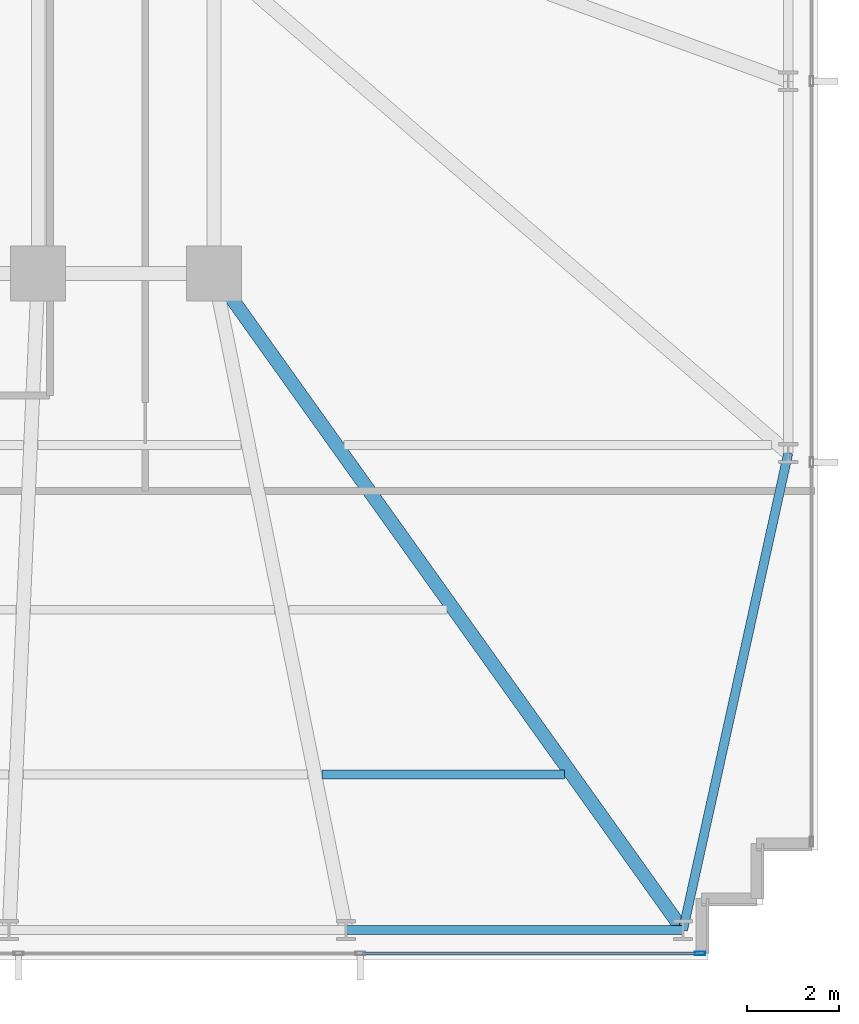
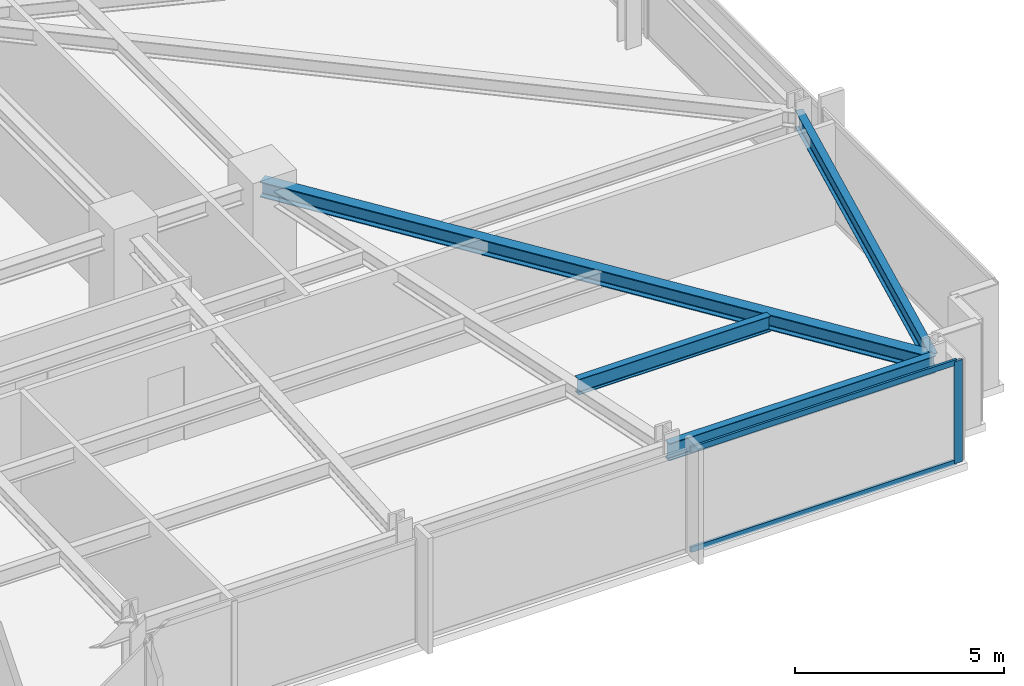
# One storey, part 15 of 32: 4 beams, 3 members, 1 element without a shape of its own.
"""IFC4 building model written with IfcOpenShell, lengths in metres."""

from ifc_helpers import new_model, si_unit, direction, frame, origin, origin_2d, place, context, subcontext, project, spatial, hollow_rectangle, i_section, extrude, material, material_profile, profile_set, type_object, element, aggregate, save


model = new_model("IFC4")

# Units and contexts
model_context = context("Model", 3, precision=1e-05, world=origin(), true_north=direction((0.0, 1.0)))
body_context = subcontext(model_context, "Body", "Model", "MODEL_VIEW")
ifc_project = project(units=[si_unit("LENGTHUNIT", "METRE"), si_unit("AREAUNIT", "SQUARE_METRE"), si_unit("VOLUMEUNIT", "CUBIC_METRE"), si_unit("PLANEANGLEUNIT", "RADIAN"), si_unit("MASSUNIT", "GRAM", prefix="KILO")], contexts=[model_context])

# Site, building, storey
site_placement = place(None, origin())
site = spatial("IfcSite", under=ifc_project, at=site_placement, CompositionType="ELEMENT")
building_placement = place(site_placement, origin())
building = spatial("IfcBuilding", under=site, at=building_placement, Name="Yelkora Congress Tower", CompositionType="ELEMENT")
storey_placement = place(building_placement, frame((0.0, 0.0, 74.60009765625)))
storey = spatial("IfcBuildingStorey", under=building, at=storey_placement, Name="L19", CompositionType="ELEMENT", Elevation=74.60009765625)

# Beams
ifc_material_1 = material(Name="Steel S355J2", Category="steel")
ifc_material_profile_1 = material_profile(ifc_material_1, i_section(OverallWidth=0.300048828125, OverallDepth=0.449951171875, WebThickness=0.013916015625, FlangeThickness=0.02587890625, FilletRadius=0.027099609375, at=origin_2d()), Name="HEB 450")
ifc_profile_set_1 = profile_set([ifc_material_profile_1], Name="Steel S355J2")
beam_type_1 = type_object("IfcBeamType", Name="BM-GIRD-HEB450", PredefinedType="BEAM", material=ifc_profile_set_1)
beam_1_placement = place(storey_placement, frame((67.85009765625, 10.85009765625, 2.7548828125), z_axis=(-0.581242122521, 0.813730664906, 0.0), x_axis=(-0.813730664906, -0.581242122521, 0.0)))
element("IfcBeam", 1, at=beam_1_placement, inside=storey, type_object=beam_type_1, Name="L19 Primary Frame Girder S09", PredefinedType="BEAM", context=body_context, shape_type="SweptSolid", body=[
    extrude(i_section(OverallWidth=0.300048828125, OverallDepth=0.449951171875, WebThickness=0.013916015625, FlangeThickness=0.02587890625, FilletRadius=0.027099609375, at=origin_2d()), origin(), (0.0, 0.0, 1.0), 17.634765625),
])
ifc_material_profile_2 = material_profile(ifc_material_1, i_section(OverallWidth=0.18994140625, OverallDepth=0.449951171875, WebThickness=0.009521484375, FlangeThickness=0.0146484375, FilletRadius=0.02099609375, at=origin_2d()), Name="IPE 450")
ifc_profile_set_2 = profile_set([ifc_material_profile_2], Name="Steel S355J2")
beam_type_2 = type_object("IfcBeamType", Name="BM-JOIST-IPE450", PredefinedType="JOIST", material=ifc_profile_set_2)
beam_2_placement = place(storey_placement, frame((59.96337890625, 14.25, 2.7548828125), z_axis=(1.0, 0.0, 0.0), x_axis=(0.0, 1.0, 0.0)))
element("IfcBeam", 2, at=beam_2_placement, inside=storey, type_object=beam_type_2, Name="L19 Composite Floor Joist 8", PredefinedType="JOIST", context=body_context, shape_type="SweptSolid", body=[
    extrude(i_section(OverallWidth=0.18994140625, OverallDepth=0.449951171875, WebThickness=0.009521484375, FlangeThickness=0.0146484375, FilletRadius=0.02099609375, at=origin_2d()), origin(), (0.0, 0.0, 1.0), 5.298095703125),
])
ifc_material_profile_3 = material_profile(ifc_material_1, i_section(OverallWidth=0.199951171875, OverallDepth=0.5, WebThickness=0.01025390625, FlangeThickness=0.01611328125, FilletRadius=0.02099609375, at=origin_2d()), Name="IPE 500")
ifc_profile_set_3 = profile_set([ifc_material_profile_3], Name="Steel S355J2")
beam_type_3 = type_object("IfcBeamType", Name="BM-SPAN-IPE500", PredefinedType="SPANDREL", material=ifc_profile_set_3)
beam_3_placement = place(storey_placement, frame((60.487548828125, 10.85009765625, 2.72998046875), z_axis=(1.0, 0.0, 0.0), x_axis=(0.0, 1.0, 0.0)))
element("IfcBeam", 3, at=beam_3_placement, inside=storey, type_object=beam_type_3, Name="L19 Perimeter Beam 9", PredefinedType="SPANDREL", context=body_context, shape_type="SweptSolid", body=[
    extrude(i_section(OverallWidth=0.199951171875, OverallDepth=0.5, WebThickness=0.01025390625, FlangeThickness=0.01611328125, FilletRadius=0.02099609375, at=origin_2d()), origin(), (0.0, 0.0, 1.0), 7.362548828125),
])
beam_4_placement = place(storey_placement, frame((67.85009765625, 10.85009765625, 2.72998046875), z_axis=(0.215428898349, 0.97651952861, 0.0), x_axis=(-0.97651952861, 0.215428898349, 0.0)))
element("IfcBeam", 4, at=beam_4_placement, inside=storey, type_object=beam_type_3, Name="L19 Perimeter Beam 10", PredefinedType="SPANDREL", context=body_context, shape_type="SweptSolid", body=[
    extrude(i_section(OverallWidth=0.199951171875, OverallDepth=0.5, WebThickness=0.01025390625, FlangeThickness=0.01611328125, FilletRadius=0.02099609375, at=origin_2d()), origin(), (0.0, 0.0, 1.0), 10.675537109375),
])

# Curtain wall, members
ifc_material_2 = material(Name="Anodised aluminium and insulated glass", Category="aluminium")
curtain_wall_type = type_object("IfcCurtainWallType", Name="CW-SYS-B1", PredefinedType="NOTDEFINED", material=ifc_material_2)
curtain_wall_placement = place(storey_placement, origin())
curtain_wall = element("IfcCurtainWall", 5, at=curtain_wall_placement, inside=storey, type_object=curtain_wall_type, Name="L19 Unitised Curtain Wall 20", PredefinedType="NOTDEFINED")
ifc_material_3 = material(Name="Anodised aluminium 6063-T6", Category="aluminium")
ifc_material_profile_4 = material_profile(ifc_material_3, hollow_rectangle(XDim=0.074951171875, YDim=0.219970703125, WallThickness=0.0048828125, at=origin_2d()), Name="ALU 75x220x5")
ifc_profile_set_4 = profile_set([ifc_material_profile_4], Name="Anodised aluminium 6063-T6")
member_type_1 = type_object("IfcMemberType", Name="MEM-ML-B1", PredefinedType="MULLION", material=ifc_profile_set_4)
member_1_placement = place(storey_placement, frame((68.222412109375, 10.340087890625, 0.0), z_axis=(0.0, 0.0, 1.0), x_axis=(0.0, -1.0, 0.0)))
member_1 = element("IfcMember", 6, at=member_1_placement, type_object=member_type_1, Name="CW-B1 mullion 1", PredefinedType="MULLION", context=body_context, shape_type="SweptSolid", body=[
    extrude(hollow_rectangle(XDim=0.074951171875, YDim=0.219970703125, WallThickness=0.0048828125, at=origin_2d()), origin(), (0.0, 0.0, 1.0), 2.97998046875),
])
ifc_material_profile_5 = material_profile(ifc_material_3, hollow_rectangle(XDim=0.06494140625, YDim=0.159912109375, WallThickness=0.00390625, at=origin_2d()), Name="ALU 65x160x4")
ifc_profile_set_5 = profile_set([ifc_material_profile_5], Name="Anodised aluminium 6063-T6")
member_type_2 = type_object("IfcMemberType", Name="MEM-TR-B1", PredefinedType="USERDEFINED", material=ifc_profile_set_5)
member_2_placement = place(storey_placement, frame((68.18505859375, 10.340087890625, 0.032470703125), z_axis=(-1.0, 0.0, 0.0), x_axis=(0.0, -1.0, 0.0)))
member_2 = element("IfcMember", 7, at=member_2_placement, type_object=member_type_2, Name="CW-B1 transom 1.1", ObjectType="TRANSOM", PredefinedType="USERDEFINED", context=body_context, shape_type="SweptSolid", body=[
    extrude(hollow_rectangle(XDim=0.06494140625, YDim=0.159912109375, WallThickness=0.00390625, at=origin_2d()), origin(), (0.0, 0.0, 1.0), 7.3525390625),
])
member_3_placement = place(storey_placement, frame((68.18505859375, 10.340087890625, 2.947509765625), z_axis=(-1.0, 0.0, 0.0), x_axis=(0.0, -1.0, 0.0)))
member_3 = element("IfcMember", 8, at=member_3_placement, type_object=member_type_2, Name="CW-B1 transom 1.2", ObjectType="TRANSOM", PredefinedType="USERDEFINED", context=body_context, shape_type="SweptSolid", body=[
    extrude(hollow_rectangle(XDim=0.06494140625, YDim=0.159912109375, WallThickness=0.00390625, at=origin_2d()), origin(), (0.0, 0.0, 1.0), 7.3525390625),
])
aggregate(curtain_wall, [member_1, member_2, member_3])

save(model, "model.ifc")
